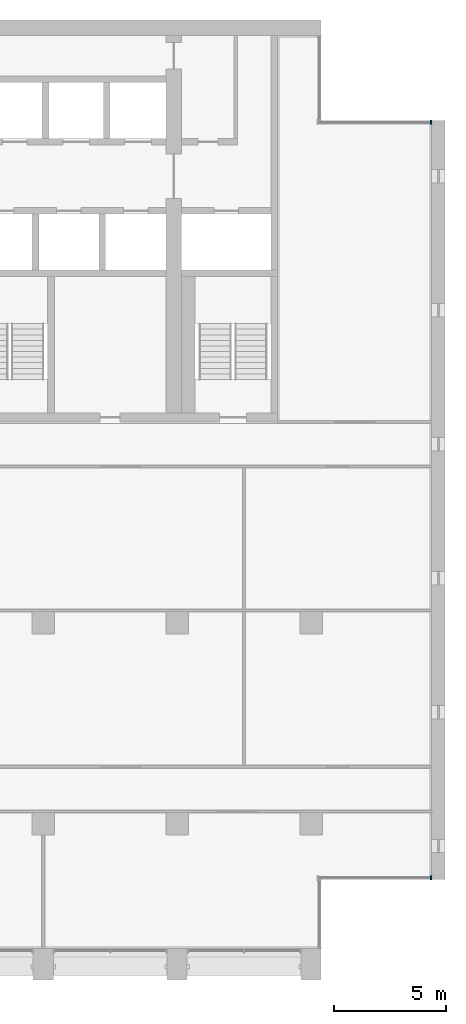
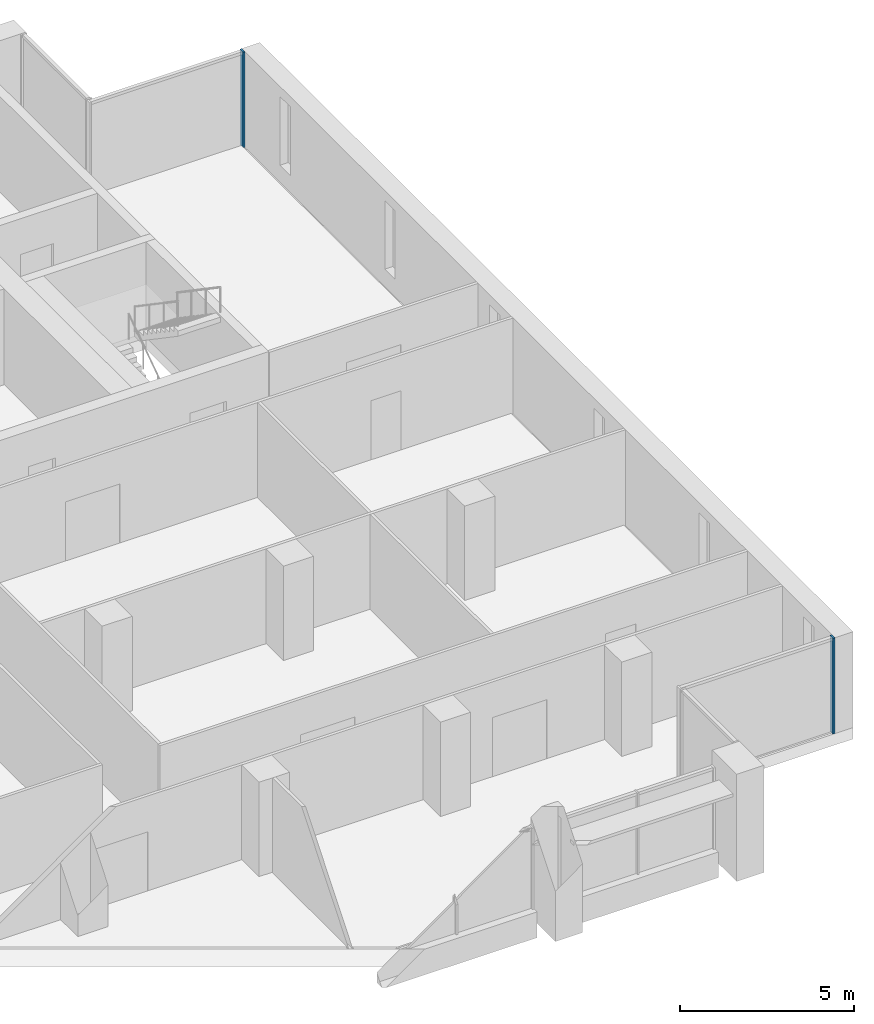
# One storey, part 6 of 17: 2 members, 2 elements without a shape of their own.
"""IFC4 building model written with IfcOpenShell, lengths in metres."""

import ifcopenshell
import ifcopenshell.guid

model = None  # the IFC model being written
_history = None  # IfcOwnerHistory: only IFC2X3 demands one
_inside = {}  # id of a spatial element -> (the spatial element, [elements in it])
_under = {}  # id of a project, library or spatial element -> (it, [spatial elements below it])
_declared = {}  # id of a project -> (the project, [libraries it declares])
_typed = {}  # id of a type object -> (the type object, [elements of that type])
_made_of = {}  # id of a material, layer set ... -> (it, [elements and type objects made of it])


def new_model(schema):
    """Start an empty IFC model of exactly this schema.

    Asked for "IFC4X3", IfcOpenShell would pick the latest addendum, in which some entities
    have other attributes; the version numbers below select the first issue.
    IFC2X3 requires an IfcOwnerHistory on every rooted entity: one is made here for all.
    """
    global model, _history
    if schema == "IFC4X3":
        model = ifcopenshell.file(schema_version=(4, 3, 0, 0))
    else:
        model = ifcopenshell.file(schema=schema)
    _inside.clear()
    _under.clear()
    _declared.clear()
    _typed.clear()
    _made_of.clear()
    _history = None
    if model.schema == "IFC2X3":
        org = make("IfcOrganization", Name="unknown")
        user = make(
            "IfcPersonAndOrganization",
            ThePerson=make("IfcPerson", FamilyName="unknown"),
            TheOrganization=org,
        )
        app = make(
            "IfcApplication",
            ApplicationDeveloper=org,
            Version="unknown",
            ApplicationFullName="unknown",
            ApplicationIdentifier="unknown",
        )
        _history = make(
            "IfcOwnerHistory",
            OwningUser=user,
            OwningApplication=app,
            ChangeAction="ADDED",
            CreationDate=0,
        )
    return model


def make(cls, **values):
    """One entity of the class cls with the attributes given. An attribute that is None is left unset."""
    return model.create_entity(
        cls, **{name: value for name, value in values.items() if value is not None}
    )


def rooted(cls, **values):
    """An entity with a GlobalId (a new one), such as an element, a storey or a relation."""
    return make(cls, GlobalId=ifcopenshell.guid.new(), OwnerHistory=_history, **values)


def si_unit(unit_type, name, prefix=None):
    """IfcSIUnit, for example si_unit("LENGTHUNIT", "METRE", prefix="MILLI")."""
    return make("IfcSIUnit", UnitType=unit_type, Prefix=prefix, Name=name)


def assignment(units):
    """IfcUnitAssignment: the units of a project."""
    return None if units is None else make("IfcUnitAssignment", Units=units)


def point(xyz):
    """IfcCartesianPoint."""
    return None if xyz is None else make("IfcCartesianPoint", Coordinates=xyz)


def direction(xyz):
    """IfcDirection."""
    return None if xyz is None else make("IfcDirection", DirectionRatios=xyz)


def frame(location, z_axis=None, x_axis=None):
    """IfcAxis2Placement3D, a coordinate frame: its origin and axes. An axis left out is left unset."""
    return make(
        "IfcAxis2Placement3D",
        Location=point(location),
        Axis=direction(z_axis),
        RefDirection=direction(x_axis),
    )


def frame_2d(location, x_axis=None):
    """IfcAxis2Placement2D, a coordinate frame in the plane: its origin and x axis."""
    return make(
        "IfcAxis2Placement2D", Location=point(location), RefDirection=direction(x_axis)
    )


def origin():
    """The frame at (0, 0, 0) with its axes left unset."""
    return frame((0.0, 0.0, 0.0))


def origin_2d():
    """The frame at (0, 0) in the plane with its x axis left unset."""
    return frame_2d((0.0, 0.0))


def place(relative_to, where):
    """IfcLocalPlacement: puts the frame where relative to a parent placement (None: the world)."""
    return make(
        "IfcLocalPlacement", PlacementRelTo=relative_to, RelativePlacement=where
    )


def context(
    kind, dimensions, precision=None, world=None, true_north=None, identifier=None
):
    """IfcGeometricRepresentationContext, for example the 3D "Model" context."""
    return make(
        "IfcGeometricRepresentationContext",
        ContextIdentifier=identifier,
        ContextType=kind,
        CoordinateSpaceDimension=dimensions,
        Precision=precision,
        WorldCoordinateSystem=world,
        TrueNorth=true_north,
    )


def subcontext(parent, identifier, kind, view, scale=None):
    """IfcGeometricRepresentationSubContext, for example "Body" below "Model"."""
    return make(
        "IfcGeometricRepresentationSubContext",
        ContextIdentifier=identifier,
        ContextType=kind,
        ParentContext=parent,
        TargetScale=scale,
        TargetView=view,
    )


def project(units=None, contexts=None):
    """IfcProject with its units and contexts."""
    return rooted(
        "IfcProject",
        Name="project",
        RepresentationContexts=contexts,
        UnitsInContext=assignment(units),
    )


def spatial(cls, under=None, at=None, **own):
    """A site, building, storey or space (cls), placed at a placement, below another one or the project."""
    s = rooted(cls, ObjectPlacement=at, **own)
    if under is not None:
        _under.setdefault(under.id(), (under, []))[1].append(s)
    return s


def profile(cls, at=None, kind="AREA", **sizes):
    """A parametric profile (cls). Its sizes go by their IFC names, for example OverallWidth=200.0."""
    return make(cls, ProfileType=kind, Position=at, **sizes)


def rectangle(**sizes):
    """IfcRectangleProfileDef."""
    return profile("IfcRectangleProfileDef", **sizes)


def extrude(swept, where, along, depth):
    """IfcExtrudedAreaSolid: the profile swept, set in the frame where, extruded along a direction by depth."""
    return make(
        "IfcExtrudedAreaSolid",
        SweptArea=swept,
        Position=where,
        ExtrudedDirection=direction(along),
        Depth=depth,
    )


def shape(context_of_items, identifier, shape_type, items):
    """IfcShapeRepresentation: the items that make up one representation, for example the "Body"."""
    return make(
        "IfcShapeRepresentation",
        ContextOfItems=context_of_items,
        RepresentationIdentifier=identifier,
        RepresentationType=shape_type,
        Items=items,
    )


def material(Name=None, Category=None):
    """IfcMaterial."""
    return make("IfcMaterial", Name=Name, Category=Category)


def material_profile(
    of_material, cross_section, Name=None, Category=None, Priority=None
):
    """IfcMaterialProfile: a cross section and its material."""
    return make(
        "IfcMaterialProfile",
        Name=Name,
        Material=of_material,
        Profile=cross_section,
        Priority=Priority,
        Category=Category,
    )


def profile_set(profiles, Name=None, composite=None):
    """IfcMaterialProfileSet."""
    return make(
        "IfcMaterialProfileSet",
        Name=Name,
        MaterialProfiles=profiles,
        CompositeProfile=composite,
    )


def made_of(thing, what):
    """Note that an element or type object is made of a material, layer set ...; save() writes the relation."""
    if what is not None:
        _made_of.setdefault(what.id(), (what, []))[1].append(thing)
    return thing


def type_object(cls, material=None, **own):
    """A type object (cls), such as IfcWallType, which elements share."""
    return made_of(rooted(cls, **own), material)


def element(
    cls,
    number,
    at=None,
    inside=None,
    cuts=None,
    type_object=None,
    material=None,
    context=None,
    identifier="Body",
    shape_type=None,
    held_by="IfcProductDefinitionShape",
    body=None,
    shapes=None,
    **own,
):
    """One element of the class cls, such as IfcWall. Its Tag is "e" and its number.

    at: its placement. inside: the storey or other place that contains it. cuts: it is an
    opening in that element (IfcRelVoidsElement). A single representation is given by context,
    identifier, shape_type and body (its items); several are given by shapes. held_by: the class
    of the entity that holds the representations. save() writes the other relations.
    """
    e = rooted(cls, Tag="e%d" % number, ObjectPlacement=at, **own)
    if body is not None:
        shapes = [shape(context, identifier, shape_type, body)]
    if shapes is not None:
        e.Representation = make(held_by, Representations=shapes)
    if inside is not None:
        _inside.setdefault(inside.id(), (inside, []))[1].append(e)
    if cuts is not None:
        rooted(
            "IfcRelVoidsElement", RelatingBuildingElement=cuts, RelatedOpeningElement=e
        )
    if type_object is not None:
        _typed.setdefault(type_object.id(), (type_object, []))[1].append(e)
    return made_of(e, material)


def aggregate(whole, parts):
    """IfcRelAggregates: a whole, such as a stair, and the parts it consists of."""
    return rooted("IfcRelAggregates", RelatingObject=whole, RelatedObjects=parts)


def save(model, path):
    """Write the relations noted so far, then the file.

    IfcRelAggregates (storeys below a building ...), IfcRelContainedInSpatialStructure (elements
    in a storey), IfcRelDefinesByType, IfcRelAssociatesMaterial and IfcRelDeclares: one each for
    every whole, place, type object, material and project.
    """
    for whole, parts in _under.values():
        aggregate(whole, parts)
    for where, things in _inside.values():
        rooted(
            "IfcRelContainedInSpatialStructure",
            RelatedElements=things,
            RelatingStructure=where,
        )
    for kind, things in _typed.values():
        rooted("IfcRelDefinesByType", RelatedObjects=things, RelatingType=kind)
    for what, things in _made_of.values():
        rooted("IfcRelAssociatesMaterial", RelatedObjects=things, RelatingMaterial=what)
    for by, libraries in _declared.values():
        rooted("IfcRelDeclares", RelatingContext=by, RelatedDefinitions=libraries)
    model.write(path)


model = new_model("IFC4")

# Units and contexts
model_context = context("Model", 3, precision=1e-05, world=origin(), true_north=direction((0.0, 1.0)))
body_context = subcontext(model_context, "Body", "Model", "MODEL_VIEW")
ifc_project = project(units=[si_unit("LENGTHUNIT", "METRE"), si_unit("AREAUNIT", "SQUARE_METRE"), si_unit("VOLUMEUNIT", "CUBIC_METRE"), si_unit("PLANEANGLEUNIT", "RADIAN"), si_unit("MASSUNIT", "GRAM", prefix="KILO")], contexts=[model_context])

# Site, building, storey
site_placement = place(None, origin())
site = spatial("IfcSite", under=ifc_project, at=site_placement, CompositionType="ELEMENT")
building_placement = place(site_placement, origin())
building = spatial("IfcBuilding", under=site, at=building_placement, Name="Calvaro Tower", CompositionType="ELEMENT")
storey_placement = place(building_placement, frame((0.0, 0.0, 211.75)))
storey = spatial("IfcBuildingStorey", under=building, at=storey_placement, Name="L53", CompositionType="ELEMENT", Elevation=211.75)

# Curtain wall, member
ifc_material_1 = material(Name="Anodised aluminium", Category="aluminium")
curtain_wall_type = type_object("IfcCurtainWallType", Name="Office curtain wall, upper zone", PredefinedType="NOTDEFINED", material=ifc_material_1)
curtain_wall_1_placement = place(storey_placement, origin())
curtain_wall_1 = element("IfcCurtainWall", 1, at=curtain_wall_1_placement, inside=storey, type_object=curtain_wall_type, Name="CW3 corner curtain wall", PredefinedType="NOTDEFINED")
ifc_material_2 = material(Name="Anodised aluminium", Category="aluminium")
ifc_material_profile = material_profile(ifc_material_2, rectangle(XDim=0.179931640625, YDim=0.06005859375, at=origin_2d()), Name="Mullion S3 60 x 180")
ifc_profile_set = profile_set([ifc_material_profile], Name="Anodised aluminium")
member_type = type_object("IfcMemberType", Name="Mullion S3 60 x 180", PredefinedType="MULLION", material=ifc_profile_set)
member_1_placement = place(storey_placement, frame((71.3701171875, 7.590087890625, 0.0), z_axis=(0.0, 0.0, 1.0), x_axis=(0.0, 1.0, 0.0)))
member_1 = element("IfcMember", 2, at=member_1_placement, type_object=member_type, Name="CW3 mullion 2", PredefinedType="MULLION", context=body_context, shape_type="SweptSolid", body=[
    extrude(rectangle(XDim=0.179931640625, YDim=0.06005859375, at=origin_2d()), origin(), (0.0, 0.0, 1.0), 3.35009765625),
])
aggregate(curtain_wall_1, [member_1])

curtain_wall_2_placement = place(storey_placement, origin())
curtain_wall_2 = element("IfcCurtainWall", 3, at=curtain_wall_2_placement, inside=storey, type_object=curtain_wall_type, Name="CW3 corner curtain wall", PredefinedType="NOTDEFINED")
member_2_placement = place(storey_placement, frame((71.3701171875, 41.409912109375, 0.0), z_axis=(0.0, 0.0, 1.0), x_axis=(0.0, 1.0, 0.0)))
member_2 = element("IfcMember", 4, at=member_2_placement, type_object=member_type, Name="CW3 mullion 2", PredefinedType="MULLION", context=body_context, shape_type="SweptSolid", body=[
    extrude(rectangle(XDim=0.179931640625, YDim=0.06005859375, at=origin_2d()), origin(), (0.0, 0.0, 1.0), 3.35009765625),
])
aggregate(curtain_wall_2, [member_2])

save(model, "model.ifc")
